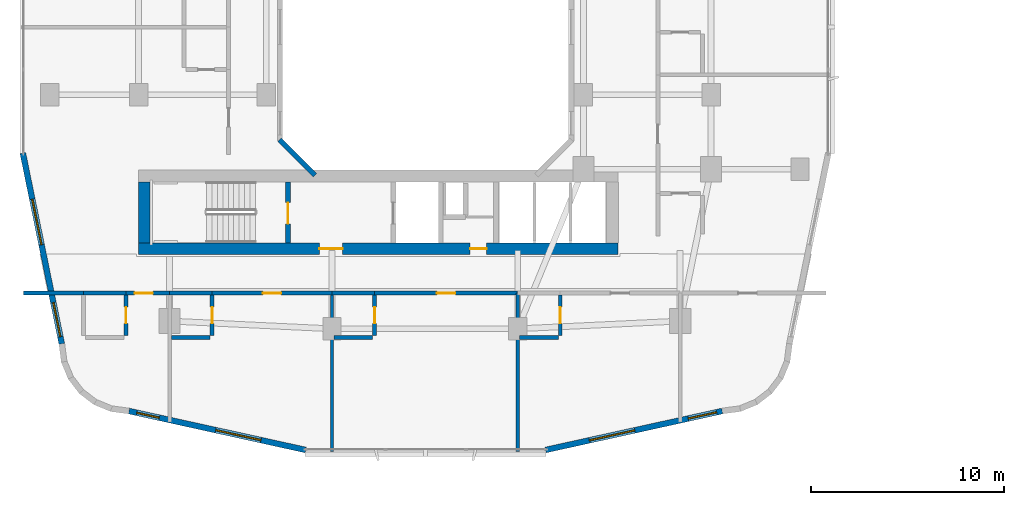
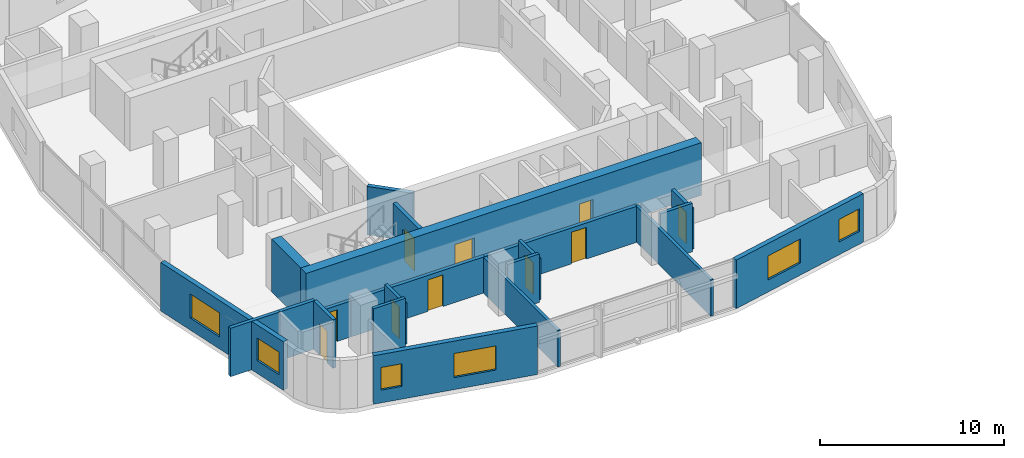
# One storey, part 13 of 27: 23 walls, 10 doors, 6 windows, 16 openings.
"""IFC4 building model written with IfcOpenShell, lengths in metres."""

from ifc_helpers import new_model, si_unit, derived_unit, direction, frame, frame_2d, origin, place, context, subcontext, project, spatial, rectangle, extrude, material, layer, layer_set, type_object, element, fill, save


model = new_model("IFC4")

# Units and contexts
model_context = context("Model", 3, precision=1e-05, world=origin(), true_north=direction((0.0, 1.0)))
body_context = subcontext(model_context, "Body", "Model", "MODEL_VIEW")
ifc_project = project(units=[si_unit("LENGTHUNIT", "METRE"), si_unit("AREAUNIT", "SQUARE_METRE"), si_unit("VOLUMEUNIT", "CUBIC_METRE"), si_unit("PLANEANGLEUNIT", "RADIAN"), si_unit("MASSUNIT", "GRAM", prefix="KILO"), derived_unit("THERMALTRANSMITTANCEUNIT", [(si_unit("POWERUNIT", "WATT"), 1), (si_unit("LENGTHUNIT", "METRE"), -2), (si_unit("THERMODYNAMICTEMPERATUREUNIT", "KELVIN"), -1)])], contexts=[model_context])

# Site, building, storey
site_placement = place(None, origin())
site = spatial("IfcSite", under=ifc_project, at=site_placement, CompositionType="ELEMENT")
building_placement = place(site_placement, origin())
building = spatial("IfcBuilding", under=site, at=building_placement, Name="Kivonza Crest Hotel", CompositionType="ELEMENT")
storey_placement = place(building_placement, frame((0.0, 0.0, 34.5)))
storey = spatial("IfcBuildingStorey", under=building, at=storey_placement, Name="L08", CompositionType="ELEMENT", Elevation=34.5)

# Walls
ifc_material_1 = material(Name="High-density acoustic masonry inter-tenancy wall", Category="masonry")
ifc_layer_1 = layer(ifc_material_1, 0.179931640625)
ifc_layer_set_1 = layer_set([ifc_layer_1], Name="High-density acoustic masonry inter-tenancy wall")
wall_type_1 = type_object("IfcWallType", Name="WL-ACOU-180", PredefinedType="SOLIDWALL", material=ifc_layer_set_1)
for number, where, z_axis, x_axis, name in (
    (1, (16.199951171875, 3.06005859375, 0.0), (0.0, 0.0, 1.0), (0.0, 1.0, 0.0), "L08 interior partition WA-L08-T1S-DIV2"),
    (2, (25.800048828125, 3.06005859375, 0.0), (0.0, 0.0, 1.0), (0.0, 1.0, 0.0), "L08 interior partition WA-L08-T1S-DIV3"),
):
    element("IfcWall", number, at=place(storey_placement, frame(where, z_axis=z_axis, x_axis=x_axis)), inside=storey, type_object=wall_type_1, Name=name, PredefinedType="SOLIDWALL", context=body_context, shape_type="SweptSolid", body=[
        extrude(rectangle(XDim=8.18994140625, YDim=0.179931640625, at=frame_2d((4.094970703125, 0.0))), origin(), (0.0, 0.0, 1.0), 2.39501953125),
    ])
ifc_material_2 = material(Name="Autoclaved aerated concrete blockwork", Category="masonry")
ifc_layer_2 = layer(ifc_material_2, 0.219970703125)
ifc_layer_set_2 = layer_set([ifc_layer_2], Name="Autoclaved aerated concrete blockwork")
wall_type_2 = type_object("IfcWallType", Name="WL-ACOU-220", PredefinedType="SOLIDWALL", material=ifc_layer_set_2)
wall_1_placement = place(storey_placement, frame((0.239990234375, 11.25, 0.0), z_axis=(0.0, 0.0, 1.0), x_axis=(1.0, 0.0, 0.0)))
element("IfcWall", 3, at=wall_1_placement, inside=storey, type_object=wall_type_2, Name="L08 interior partition WA-L08-S04-XCORR", PredefinedType="SOLIDWALL", context=body_context, shape_type="SweptSolid", body=[
    extrude(rectangle(XDim=3.110107421875, YDim=0.219970703125, at=frame_2d((1.55517578125, 0.0))), origin(), (0.0, 0.0, 1.0), 3.219970703125),
])
wall_2_placement = place(storey_placement, frame((3.35009765625, 11.25, 0.0), z_axis=(0.0, 0.0, 1.0), x_axis=(1.0, 0.0, 0.0)))
element("IfcWall", 4, at=wall_2_placement, inside=storey, type_object=wall_type_2, Name="L08 interior partition WA-L08-S04-BCORR", PredefinedType="SOLIDWALL", context=body_context, shape_type="SweptSolid", body=[
    extrude(rectangle(XDim=2.199951171875, YDim=0.219970703125, at=frame_2d((1.10009765625, 0.0))), origin(), (0.0, 0.0, 1.0), 3.219970703125),
])

# Wall, opening, door
wall_3_placement = place(storey_placement, frame((5.550048828125, 11.25, 0.0), z_axis=(0.0, 0.0, 1.0), x_axis=(1.0, 0.0, 0.0)))
wall_3 = element("IfcWall", 5, at=wall_3_placement, inside=storey, type_object=wall_type_2, Name="L08 interior partition WA-L08-S04-MCORR", PredefinedType="SOLIDWALL", context=body_context, shape_type="SweptSolid", body=[
    extrude(rectangle(XDim=2.25, YDim=0.219970703125, at=frame_2d((1.125, 0.0))), origin(), (0.0, 0.0, 1.0), 2.39501953125),
])
opening_1_placement = place(wall_3_placement, frame((0.43994140625, 0.0, 0.0)))
opening_1 = element("IfcOpeningElement", 6, at=opening_1_placement, cuts=wall_3, Name="Opening DU-60", PredefinedType="OPENING", context=body_context, shape_type="SweptSolid", body=[
    extrude(rectangle(XDim=0.949951171875, YDim=2.10009765625, at=frame_2d((0.47509765625, 1.050048828125))), frame((0.0, 0.1201171875, 0.0), z_axis=(0.0, -1.0, 0.0), x_axis=(1.0, 0.0, 0.0)), (0.0, 0.0, 1.0), 0.239990234375),
])
ifc_material_3 = material(Name="Hardwood timber oak", Category="wood")
door_type_1 = type_object("IfcDoorType", Name="DR-UNIT-950", OperationType="NOTDEFINED", PredefinedType="DOOR", material=ifc_material_3)
door_1_placement = place(opening_1_placement, frame((0.949951171875, 0.0, 0.0), z_axis=(0.0, 0.0, 1.0), x_axis=(-1.0, 0.0, 0.0)))
door_1 = element("IfcDoor", 7, at=door_1_placement, inside=storey, type_object=door_type_1, Name="L08 S04 guest unit entrance fire door", OperationType="SINGLE_SWING_RIGHT", OverallHeight=2.10009765625, OverallWidth=0.949951171875, PredefinedType="DOOR", context=body_context, shape_type="SweptSolid", body=[
    extrude(rectangle(XDim=0.949951171875, YDim=2.10009765625, at=frame_2d((0.47509765625, 1.050048828125))), frame((0.0, 0.02490234375, 0.0), z_axis=(0.0, -1.0, 0.0), x_axis=(1.0, 0.0, 0.0)), (0.0, 0.0, 1.0), 0.050048828125),
])
fill(opening_1, door_1)

# Wall
wall_4_placement = place(storey_placement, frame((7.800048828125, 11.25, 0.0), z_axis=(0.0, 0.0, 1.0), x_axis=(1.0, 0.0, 0.0)))
element("IfcWall", 8, at=wall_4_placement, inside=storey, type_object=wall_type_2, Name="L08 interior partition WA-L08-S05-BCORR", PredefinedType="SOLIDWALL", context=body_context, shape_type="SweptSolid", body=[
    extrude(rectangle(XDim=2.199951171875, YDim=0.219970703125, at=frame_2d((1.10009765625, 0.0))), origin(), (0.0, 0.0, 1.0), 2.39501953125),
])

# Wall, opening, door
wall_5_placement = place(storey_placement, frame((10.0, 11.25, 0.0), z_axis=(0.0, 0.0, 1.0), x_axis=(1.0, 0.0, 0.0)))
wall_5 = element("IfcWall", 9, at=wall_5_placement, inside=storey, type_object=wall_type_2, Name="L08 interior partition WA-L08-S05-MCORR", PredefinedType="SOLIDWALL", context=body_context, shape_type="SweptSolid", body=[
    extrude(rectangle(XDim=6.199951171875, YDim=0.219970703125, at=frame_2d((3.10009765625, 0.0))), origin(), (0.0, 0.0, 1.0), 2.39501953125),
])
opening_2_placement = place(wall_5_placement, frame((2.625, 0.0, 0.0)))
opening_2 = element("IfcOpeningElement", 10, at=opening_2_placement, cuts=wall_5, Name="Opening DU-60", PredefinedType="OPENING", context=body_context, shape_type="SweptSolid", body=[
    extrude(rectangle(XDim=0.949951171875, YDim=2.10009765625, at=frame_2d((0.47509765625, 1.050048828125))), frame((0.0, 0.1201171875, 0.0), z_axis=(0.0, -1.0, 0.0), x_axis=(1.0, 0.0, 0.0)), (0.0, 0.0, 1.0), 0.239990234375),
])
door_2_placement = place(opening_2_placement, frame((0.949951171875, 0.0, 0.0), z_axis=(0.0, 0.0, 1.0), x_axis=(-1.0, 0.0, 0.0)))
door_2 = element("IfcDoor", 11, at=door_2_placement, inside=storey, type_object=door_type_1, Name="L08 S05 guest unit entrance fire door", OperationType="SINGLE_SWING_LEFT", OverallHeight=2.10009765625, OverallWidth=0.949951171875, PredefinedType="DOOR", context=body_context, shape_type="SweptSolid", body=[
    extrude(rectangle(XDim=0.949951171875, YDim=2.10009765625, at=frame_2d((0.47509765625, 1.050048828125))), frame((0.0, 0.02490234375, 0.0), z_axis=(0.0, -1.0, 0.0), x_axis=(1.0, 0.0, 0.0)), (0.0, 0.0, 1.0), 0.050048828125),
])
fill(opening_2, door_2)

# Wall
wall_6_placement = place(storey_placement, frame((16.199951171875, 11.25, 0.0), z_axis=(0.0, 0.0, 1.0), x_axis=(1.0, 0.0, 0.0)))
element("IfcWall", 12, at=wall_6_placement, inside=storey, type_object=wall_type_2, Name="L08 interior partition WA-L08-S06-BCORR", PredefinedType="SOLIDWALL", context=body_context, shape_type="SweptSolid", body=[
    extrude(rectangle(XDim=2.199951171875, YDim=0.219970703125, at=frame_2d((1.10009765625, 0.0))), origin(), (0.0, 0.0, 1.0), 2.39501953125),
])

# Wall, opening, door
wall_7_placement = place(storey_placement, frame((18.39990234375, 11.25, 0.0), z_axis=(0.0, 0.0, 1.0), x_axis=(1.0, 0.0, 0.0)))
wall_7 = element("IfcWall", 13, at=wall_7_placement, inside=storey, type_object=wall_type_2, Name="L08 interior partition WA-L08-S06-MCORR", PredefinedType="SOLIDWALL", context=body_context, shape_type="SweptSolid", body=[
    extrude(rectangle(XDim=7.400146484375, YDim=0.219970703125, at=frame_2d((3.7001953125, 0.0))), origin(), (0.0, 0.0, 1.0), 2.39501953125),
])
opening_3_placement = place(wall_7_placement, frame((3.22509765625, 0.0, 0.0)))
opening_3 = element("IfcOpeningElement", 14, at=opening_3_placement, cuts=wall_7, Name="Opening DU-60", PredefinedType="OPENING", context=body_context, shape_type="SweptSolid", body=[
    extrude(rectangle(XDim=0.949951171875, YDim=2.10009765625, at=frame_2d((0.47509765625, 1.050048828125))), frame((0.0, 0.1201171875, 0.0), z_axis=(0.0, -1.0, 0.0), x_axis=(1.0, 0.0, 0.0)), (0.0, 0.0, 1.0), 0.239990234375),
])
door_3_placement = place(opening_3_placement, frame((0.949951171875, 0.0, 0.0), z_axis=(0.0, 0.0, 1.0), x_axis=(-1.0, 0.0, 0.0)))
door_3 = element("IfcDoor", 15, at=door_3_placement, inside=storey, type_object=door_type_1, Name="L08 S06 guest unit entrance fire door", OperationType="SINGLE_SWING_RIGHT", OverallHeight=2.10009765625, OverallWidth=0.949951171875, PredefinedType="DOOR", context=body_context, shape_type="SweptSolid", body=[
    extrude(rectangle(XDim=0.949951171875, YDim=2.10009765625, at=frame_2d((0.47509765625, 1.050048828125))), frame((0.0, 0.02490234375, 0.0), z_axis=(0.0, -1.0, 0.0), x_axis=(1.0, 0.0, 0.0)), (0.0, 0.0, 1.0), 0.050048828125),
])
fill(opening_3, door_3)

# Wall, openings, doors
ifc_material_4 = material(Name="Concrete C60/75", Category="concrete")
ifc_layer_3 = layer(ifc_material_4, 0.60009765625)
ifc_layer_set_3 = layer_set([ifc_layer_3], Name="Concrete C60/75")
wall_type_3 = type_object("IfcWallType", Name="WL-CORE-600", PredefinedType="SHEAR", material=ifc_layer_set_3)
wall_8_placement = place(storey_placement, frame((6.199951171875, 13.5400390625, 0.0), z_axis=(0.0, 0.0, 1.0), x_axis=(1.0, 0.0, 0.0)))
wall_8 = element("IfcWall", 16, at=wall_8_placement, inside=storey, type_object=wall_type_3, Name="Core wall T1-S South L08", PredefinedType="SHEAR", context=body_context, shape_type="SweptSolid", body=[
    extrude(rectangle(XDim=24.800048828125, YDim=0.60009765625, at=frame_2d((12.39990234375, 0.0))), origin(), (0.0, 0.0, 1.0), 3.5),
])
opening_4_placement = place(wall_8_placement, frame((9.35009765625, 0.0, 0.0)))
opening_4 = element("IfcOpeningElement", 17, at=opening_4_placement, cuts=wall_8, Name="Opening DF-60", PredefinedType="OPENING", context=body_context, shape_type="SweptSolid", body=[
    extrude(rectangle(XDim=1.199951171875, YDim=2.14990234375, at=frame_2d((0.60009765625, 1.074951171875))), frame((0.0, 0.31005859375, 0.0), z_axis=(0.0, -1.0, 0.0), x_axis=(1.0, 0.0, 0.0)), (0.0, 0.0, 1.0), 0.6201171875),
])
opening_5_placement = place(wall_8_placement, frame((17.139892578125, 0.0, 0.0)))
opening_5 = element("IfcOpeningElement", 18, at=opening_5_placement, cuts=wall_8, Name="Opening DF-60R", PredefinedType="OPENING", context=body_context, shape_type="SweptSolid", body=[
    extrude(rectangle(XDim=0.85009765625, YDim=2.10009765625, at=frame_2d((0.425048828125, 1.050048828125))), frame((0.0, 0.31005859375, 0.0), z_axis=(0.0, -1.0, 0.0), x_axis=(1.0, 0.0, 0.0)), (0.0, 0.0, 1.0), 0.6201171875),
])
door_type_2 = type_object("IfcDoorType", Name="DR-FD60-1200", OperationType="NOTDEFINED", PredefinedType="DOOR", material=ifc_material_3)
door_4_placement = place(opening_4_placement, frame((1.199951171875, 0.0, 0.0), z_axis=(0.0, 0.0, 1.0), x_axis=(-1.0, 0.0, 0.0)))
door_4 = element("IfcDoor", 19, at=door_4_placement, inside=storey, type_object=door_type_2, Name="L08 T1-S firefighting lobby fire door", OperationType="SINGLE_SWING_LEFT", OverallHeight=2.14990234375, OverallWidth=1.199951171875, PredefinedType="DOOR", context=body_context, shape_type="SweptSolid", body=[
    extrude(rectangle(XDim=1.199951171875, YDim=2.14990234375, at=frame_2d((0.60009765625, 1.074951171875))), frame((0.0, 0.02490234375, 0.0), z_axis=(0.0, -1.0, 0.0), x_axis=(1.0, 0.0, 0.0)), (0.0, 0.0, 1.0), 0.050048828125),
])
fill(opening_4, door_4)
door_type_3 = type_object("IfcDoorType", Name="DR-FD60-850", OperationType="NOTDEFINED", PredefinedType="DOOR", material=ifc_material_3)
door_5_placement = place(opening_5_placement, frame((0.85009765625, 0.0, 0.0), z_axis=(0.0, 0.0, 1.0), x_axis=(-1.0, 0.0, 0.0)))
door_5 = element("IfcDoor", 20, at=door_5_placement, inside=storey, type_object=door_type_3, Name="L08 T1-S core room door", OperationType="SINGLE_SWING_RIGHT", OverallHeight=2.10009765625, OverallWidth=0.85009765625, PredefinedType="DOOR", context=body_context, shape_type="SweptSolid", body=[
    extrude(rectangle(XDim=0.85009765625, YDim=2.10009765625, at=frame_2d((0.425048828125, 1.050048828125))), frame((0.0, 0.02490234375, 0.0), z_axis=(0.0, -1.0, 0.0), x_axis=(1.0, 0.0, 0.0)), (0.0, 0.0, 1.0), 0.050048828125),
])
fill(opening_5, door_5)

# Walls
wall_9_placement = place(storey_placement, frame((6.5, 13.840087890625, 0.0), z_axis=(0.0, 0.0, 1.0), x_axis=(0.0, 1.0, 0.0)))
element("IfcWall", 21, at=wall_9_placement, inside=storey, type_object=wall_type_3, Name="Core wall T1-S West L08", PredefinedType="SHEAR", context=body_context, shape_type="SweptSolid", body=[
    extrude(rectangle(XDim=3.159912109375, YDim=0.60009765625, at=frame_2d((1.580078125, 0.0))), origin(), (0.0, 0.0, 1.0), 3.5),
])
ifc_material_5 = material(Name="Precast concrete C40/50", Category="concrete")
ifc_layer_4 = layer(ifc_material_5, 0.260009765625)
ifc_layer_set_4 = layer_set([ifc_layer_4], Name="Precast concrete C40/50")
wall_type_4 = type_object("IfcWallType", Name="WL-EXT-260", PredefinedType="STANDARD", material=ifc_layer_set_4)
wall_10_placement = place(storey_placement, frame((13.48388671875, 19.172119140625, 0.0), z_axis=(0.0, 0.0, 1.0), x_axis=(0.707106781187, -0.707106781187, 0.0)))
element("IfcWall", 22, at=wall_10_placement, inside=storey, type_object=wall_type_4, Name="L08 T1 light-well exterior wall 8", PredefinedType="STANDARD", context=body_context, shape_type="SweptSolid", body=[
    extrude(rectangle(XDim=2.593994140625, YDim=0.260009765625, at=frame_2d((1.296875, 0.0))), origin(), (0.0, 0.0, 1.0), 3.219970703125),
])

# Wall, openings, windows
ifc_layer_5 = layer(ifc_material_5, 0.300048828125)
ifc_layer_set_5 = layer_set([ifc_layer_5], Name="Precast concrete C40/50")
wall_type_5 = type_object("IfcWallType", Name="WL-EXT-300", PredefinedType="STANDARD", material=ifc_layer_set_5)
wall_11_placement = place(storey_placement, frame((5.7041015625, 5.14794921875, 0.0), z_axis=(0.0, 0.0, 1.0), x_axis=(0.9765437942, -0.215318875183, 0.0)))
wall_11 = element("IfcWall", 23, at=wall_11_placement, inside=storey, type_object=wall_type_5, Name="L08 T1 exterior insulated wall 7", PredefinedType="STANDARD", context=body_context, shape_type="SweptSolid", body=[
    extrude(rectangle(XDim=9.353271484375, YDim=0.300048828125, at=frame_2d((4.6767578125, 0.0))), origin(), (0.0, 0.0, 1.0), 3.219970703125),
])
opening_6_placement = place(wall_11_placement, frame((0.407958984375, 0.0, 0.85009765625)))
opening_6 = element("IfcOpeningElement", 24, at=opening_6_placement, cuts=wall_11, Name="Opening WN-01", PredefinedType="OPENING", context=body_context, shape_type="SweptSolid", body=[
    extrude(rectangle(XDim=1.199951171875, YDim=1.5, at=frame_2d((0.60009765625, 0.75))), frame((0.0, 0.16015625, 0.0), z_axis=(0.0, -1.0, 0.0), x_axis=(1.0, 0.0, 0.0)), (0.0, 0.0, 1.0), 0.320068359375),
])
opening_7_placement = place(wall_11_placement, frame((4.590087890625, 0.0, 0.800048828125)))
opening_7 = element("IfcOpeningElement", 25, at=opening_7_placement, cuts=wall_11, Name="Opening WN-05", PredefinedType="OPENING", context=body_context, shape_type="SweptSolid", body=[
    extrude(rectangle(XDim=2.39990234375, YDim=1.60009765625, at=frame_2d((1.199951171875, 0.800048828125))), frame((0.0, 0.16015625, 0.0), z_axis=(0.0, -1.0, 0.0), x_axis=(1.0, 0.0, 0.0)), (0.0, 0.0, 1.0), 0.320068359375),
])
ifc_material_6 = material(Name="Thermally broken bronze aluminium and low-E double glazing", Category="aluminium")
window_type_1 = type_object("IfcWindowType", Name="WN-120x150", PartitioningType="SINGLE_PANEL", PredefinedType="WINDOW", material=ifc_material_6)
window_1_placement = place(opening_6_placement, origin())
window_1 = element("IfcWindow", 26, at=window_1_placement, inside=storey, type_object=window_type_1, Name="L08 T1 facade window 7 bay 1", OverallHeight=1.5, OverallWidth=1.199951171875, PartitioningType="SINGLE_PANEL", PredefinedType="WINDOW", context=body_context, shape_type="SweptSolid", body=[
    extrude(rectangle(XDim=1.199951171875, YDim=1.5, at=frame_2d((0.60009765625, 0.75))), frame((0.0, 0.030029296875, 0.0), z_axis=(0.0, -1.0, 0.0), x_axis=(1.0, 0.0, 0.0)), (0.0, 0.0, 1.0), 0.06005859375),
])
fill(opening_6, window_1)
window_type_2 = type_object("IfcWindowType", Name="WN-240x160", PartitioningType="TRIPLE_PANEL_VERTICAL", PredefinedType="WINDOW", material=ifc_material_6)
window_2_placement = place(opening_7_placement, origin())
window_2 = element("IfcWindow", 27, at=window_2_placement, inside=storey, type_object=window_type_2, Name="L08 T1 facade window 7 bay 2", OverallHeight=1.60009765625, OverallWidth=2.39990234375, PartitioningType="SINGLE_PANEL", PredefinedType="WINDOW", context=body_context, shape_type="SweptSolid", body=[
    extrude(rectangle(XDim=2.39990234375, YDim=1.60009765625, at=frame_2d((1.199951171875, 0.800048828125))), frame((0.0, 0.030029296875, 0.0), z_axis=(0.0, -1.0, 0.0), x_axis=(1.0, 0.0, 0.0)), (0.0, 0.0, 1.0), 0.06005859375),
])
fill(opening_7, window_2)

wall_12_placement = place(storey_placement, frame((27.241943359375, 3.134033203125, 0.0), z_axis=(0.0, 0.0, 1.0), x_axis=(0.97654500432, 0.215313386808, 0.0)))
wall_12 = element("IfcWall", 28, at=wall_12_placement, inside=storey, type_object=wall_type_5, Name="L08 T1 exterior insulated wall 9", PredefinedType="STANDARD", context=body_context, shape_type="SweptSolid", body=[
    extrude(rectangle(XDim=9.353515625, YDim=0.300048828125, at=frame_2d((4.6767578125, 0.0))), origin(), (0.0, 0.0, 1.0), 3.219970703125),
])
opening_8_placement = place(wall_12_placement, frame((2.322998046875, 0.0, 0.800048828125)))
opening_8 = element("IfcOpeningElement", 29, at=opening_8_placement, cuts=wall_12, Name="Opening WN-05", PredefinedType="OPENING", context=body_context, shape_type="SweptSolid", body=[
    extrude(rectangle(XDim=2.39990234375, YDim=1.60009765625, at=frame_2d((1.199951171875, 0.800048828125))), frame((0.0, 0.16015625, 0.0), z_axis=(0.0, -1.0, 0.0), x_axis=(1.0, 0.0, 0.0)), (0.0, 0.0, 1.0), 0.320068359375),
])
opening_9_placement = place(wall_12_placement, frame((7.554931640625, 0.0, 0.85009765625)))
opening_9 = element("IfcOpeningElement", 30, at=opening_9_placement, cuts=wall_12, Name="Opening WN-02", PredefinedType="OPENING", context=body_context, shape_type="SweptSolid", body=[
    extrude(rectangle(XDim=1.5, YDim=1.5, at=frame_2d((0.75, 0.75))), frame((0.0, 0.16015625, 0.0), z_axis=(0.0, -1.0, 0.0), x_axis=(1.0, 0.0, 0.0)), (0.0, 0.0, 1.0), 0.320068359375),
])
window_type_3 = type_object("IfcWindowType", Name="WN-150x150", PartitioningType="DOUBLE_PANEL_VERTICAL", PredefinedType="WINDOW", material=ifc_material_6)
window_3_placement = place(opening_9_placement, origin())
window_3 = element("IfcWindow", 31, at=window_3_placement, inside=storey, type_object=window_type_3, Name="L08 T1 facade window 9 bay 2", OverallHeight=1.5, OverallWidth=1.5, PartitioningType="SINGLE_PANEL", PredefinedType="WINDOW", context=body_context, shape_type="SweptSolid", body=[
    extrude(rectangle(XDim=1.5, YDim=1.5, at=frame_2d((0.75, 0.75))), frame((0.0, 0.030029296875, 0.0), z_axis=(0.0, -1.0, 0.0), x_axis=(1.0, 0.0, 0.0)), (0.0, 0.0, 1.0), 0.06005859375),
])
fill(opening_9, window_3)
window_4_placement = place(opening_8_placement, origin())
window_4 = element("IfcWindow", 32, at=window_4_placement, inside=storey, type_object=window_type_2, Name="L08 T1 facade window 9 bay 1", OverallHeight=1.60009765625, OverallWidth=2.39990234375, PartitioningType="SINGLE_PANEL", PredefinedType="WINDOW", context=body_context, shape_type="SweptSolid", body=[
    extrude(rectangle(XDim=2.39990234375, YDim=1.60009765625, at=frame_2d((1.199951171875, 0.800048828125))), frame((0.0, 0.030029296875, 0.0), z_axis=(0.0, -1.0, 0.0), x_axis=(1.0, 0.0, 0.0)), (0.0, 0.0, 1.0), 0.06005859375),
])
fill(opening_8, window_4)

wall_13_placement = place(storey_placement, frame((0.216064453125, 18.48388671875, 0.0), z_axis=(0.0, 0.0, 1.0), x_axis=(0.199990901713, -0.979797754249, 0.0)))
wall_13 = element("IfcWall", 33, at=wall_13_placement, inside=storey, type_object=wall_type_5, Name="L08 T1 exterior insulated wall 36", PredefinedType="STANDARD", context=body_context, shape_type="SweptSolid", body=[
    extrude(rectangle(XDim=10.065185546875, YDim=0.300048828125, at=frame_2d((5.03271484375, 0.0))), origin(), (0.0, 0.0, 1.0), 3.219970703125),
])
opening_10_placement = place(wall_13_placement, frame((2.428955078125, 0.0, 0.800048828125)))
opening_10 = element("IfcOpeningElement", 34, at=opening_10_placement, cuts=wall_13, Name="Opening WN-05", PredefinedType="OPENING", context=body_context, shape_type="SweptSolid", body=[
    extrude(rectangle(XDim=2.39990234375, YDim=1.60009765625, at=frame_2d((1.199951171875, 0.800048828125))), frame((0.0, 0.16015625, 0.0), z_axis=(0.0, -1.0, 0.0), x_axis=(1.0, 0.0, 0.0)), (0.0, 0.0, 1.0), 0.320068359375),
])
opening_11_placement = place(wall_13_placement, frame((7.886962890625, 0.0, 0.85009765625)))
opening_11 = element("IfcOpeningElement", 35, at=opening_11_placement, cuts=wall_13, Name="Opening WN-03", PredefinedType="OPENING", context=body_context, shape_type="SweptSolid", body=[
    extrude(rectangle(XDim=1.800048828125, YDim=1.5, at=frame_2d((0.89990234375, 0.75))), frame((0.0, 0.16015625, 0.0), z_axis=(0.0, -1.0, 0.0), x_axis=(1.0, 0.0, 0.0)), (0.0, 0.0, 1.0), 0.320068359375),
])
window_type_4 = type_object("IfcWindowType", Name="WN-180x150", PartitioningType="DOUBLE_PANEL_VERTICAL", PredefinedType="WINDOW", material=ifc_material_6)
window_5_placement = place(opening_11_placement, origin())
window_5 = element("IfcWindow", 36, at=window_5_placement, inside=storey, type_object=window_type_4, Name="L08 T1 facade window 36 bay 2", OverallHeight=1.5, OverallWidth=1.800048828125, PartitioningType="SINGLE_PANEL", PredefinedType="WINDOW", context=body_context, shape_type="SweptSolid", body=[
    extrude(rectangle(XDim=1.800048828125, YDim=1.5, at=frame_2d((0.89990234375, 0.75))), frame((0.0, 0.030029296875, 0.0), z_axis=(0.0, -1.0, 0.0), x_axis=(1.0, 0.0, 0.0)), (0.0, 0.0, 1.0), 0.06005859375),
])
fill(opening_11, window_5)
window_6_placement = place(opening_10_placement, origin())
window_6 = element("IfcWindow", 37, at=window_6_placement, inside=storey, type_object=window_type_2, Name="L08 T1 facade window 36 bay 1", OverallHeight=1.60009765625, OverallWidth=2.39990234375, PartitioningType="SINGLE_PANEL", PredefinedType="WINDOW", context=body_context, shape_type="SweptSolid", body=[
    extrude(rectangle(XDim=2.39990234375, YDim=1.60009765625, at=frame_2d((1.199951171875, 0.800048828125))), frame((0.0, 0.030029296875, 0.0), z_axis=(0.0, -1.0, 0.0), x_axis=(1.0, 0.0, 0.0)), (0.0, 0.0, 1.0), 0.06005859375),
])
fill(opening_10, window_6)

# Wall, opening, door
ifc_material_7 = material(Name="Moisture-resistant plumbing chase partition wall", Category="gypsum")
ifc_layer_6 = layer(ifc_material_7, 0.199951171875)
ifc_layer_set_6 = layer_set([ifc_layer_6], Name="Moisture-resistant plumbing chase partition wall")
wall_type_6 = type_object("IfcWallType", Name="WL-PLUMB-200", PredefinedType="PLUMBINGWALL", material=ifc_layer_set_6)
wall_14_placement = place(storey_placement, frame((5.550048828125, 9.050048828125, 0.0), z_axis=(0.0, 0.0, 1.0), x_axis=(0.0, 1.0, 0.0)))
wall_14 = element("IfcWall", 38, at=wall_14_placement, inside=storey, type_object=wall_type_6, Name="L08 interior partition WW-L08-S04-BV", PredefinedType="PLUMBINGWALL", context=body_context, shape_type="SweptSolid", body=[
    extrude(rectangle(XDim=2.099853515625, YDim=0.199951171875, at=frame_2d((1.0498046875, 0.0))), origin(), (0.0, 0.0, 1.0), 3.219970703125),
])
opening_12_placement = place(wall_14_placement, frame((0.625, 0.0, 0.0)))
opening_12 = element("IfcOpeningElement", 39, at=opening_12_placement, cuts=wall_14, Name="Opening DI-85", PredefinedType="OPENING", context=body_context, shape_type="SweptSolid", body=[
    extrude(rectangle(XDim=0.85009765625, YDim=2.10009765625, at=frame_2d((0.425048828125, 1.050048828125))), frame((0.0, 0.10986328125, 0.0), z_axis=(0.0, -1.0, 0.0), x_axis=(1.0, 0.0, 0.0)), (0.0, 0.0, 1.0), 0.219970703125),
])
door_type_4 = type_object("IfcDoorType", Name="DR-INT-850", OperationType="NOTDEFINED", PredefinedType="DOOR", material=ifc_material_3)
door_6_placement = place(opening_12_placement, frame((0.85009765625, 0.0, 0.0), z_axis=(0.0, 0.0, 1.0), x_axis=(-1.0, 0.0, 0.0)))
door_6 = element("IfcDoor", 40, at=door_6_placement, inside=storey, type_object=door_type_4, Name="L08 S04 en-suite bathroom door", OperationType="SINGLE_SWING_LEFT", OverallHeight=2.10009765625, OverallWidth=0.85009765625, PredefinedType="DOOR", context=body_context, shape_type="SweptSolid", body=[
    extrude(rectangle(XDim=0.85009765625, YDim=2.10009765625, at=frame_2d((0.425048828125, 1.050048828125))), frame((0.0, 0.02490234375, 0.0), z_axis=(0.0, -1.0, 0.0), x_axis=(1.0, 0.0, 0.0)), (0.0, 0.0, 1.0), 0.050048828125),
])
fill(opening_12, door_6)

wall_15_placement = place(storey_placement, frame((10.0, 9.050048828125, 0.0), z_axis=(0.0, 0.0, 1.0), x_axis=(0.0, 1.0, 0.0)))
wall_15 = element("IfcWall", 41, at=wall_15_placement, inside=storey, type_object=wall_type_6, Name="L08 interior partition WW-L08-S05-BV", PredefinedType="PLUMBINGWALL", context=body_context, shape_type="SweptSolid", body=[
    extrude(rectangle(XDim=2.099853515625, YDim=0.199951171875, at=frame_2d((1.0498046875, 0.0))), origin(), (0.0, 0.0, 1.0), 2.7451171875),
])
opening_13_placement = place(wall_15_placement, frame((0.625, 0.0, 0.0)))
opening_13 = element("IfcOpeningElement", 42, at=opening_13_placement, cuts=wall_15, Name="Opening DI-85", PredefinedType="OPENING", context=body_context, shape_type="SweptSolid", body=[
    extrude(rectangle(XDim=0.85009765625, YDim=2.10009765625, at=frame_2d((0.425048828125, 1.050048828125))), frame((0.0, 0.10986328125, 0.0), z_axis=(0.0, -1.0, 0.0), x_axis=(1.0, 0.0, 0.0)), (0.0, 0.0, 1.0), 0.219970703125),
])
door_7_placement = place(opening_13_placement, frame((0.85009765625, 0.0, 0.0), z_axis=(0.0, 0.0, 1.0), x_axis=(-1.0, 0.0, 0.0)))
door_7 = element("IfcDoor", 43, at=door_7_placement, inside=storey, type_object=door_type_4, Name="L08 S05 en-suite bathroom door", OperationType="SINGLE_SWING_RIGHT", OverallHeight=2.10009765625, OverallWidth=0.85009765625, PredefinedType="DOOR", context=body_context, shape_type="SweptSolid", body=[
    extrude(rectangle(XDim=0.85009765625, YDim=2.10009765625, at=frame_2d((0.425048828125, 1.050048828125))), frame((0.0, 0.02490234375, 0.0), z_axis=(0.0, -1.0, 0.0), x_axis=(1.0, 0.0, 0.0)), (0.0, 0.0, 1.0), 0.050048828125),
])
fill(opening_13, door_7)

# Wall
wall_16_placement = place(storey_placement, frame((7.89990234375, 8.949951171875, 0.0), z_axis=(0.0, 0.0, 1.0), x_axis=(1.0, 0.0, 0.0)))
element("IfcWall", 44, at=wall_16_placement, inside=storey, type_object=wall_type_6, Name="L08 interior partition WW-L08-S05-BH", PredefinedType="PLUMBINGWALL", context=body_context, shape_type="SweptSolid", body=[
    extrude(rectangle(XDim=2.0, YDim=0.199951171875, at=frame_2d((1.0, 0.0))), origin(), (0.0, 0.0, 1.0), 3.219970703125),
])

# Wall, opening, door
wall_17_placement = place(storey_placement, frame((18.39990234375, 9.050048828125, 0.0), z_axis=(0.0, 0.0, 1.0), x_axis=(0.0, 1.0, 0.0)))
wall_17 = element("IfcWall", 45, at=wall_17_placement, inside=storey, type_object=wall_type_6, Name="L08 interior partition WW-L08-S06-BV", PredefinedType="PLUMBINGWALL", context=body_context, shape_type="SweptSolid", body=[
    extrude(rectangle(XDim=2.099853515625, YDim=0.199951171875, at=frame_2d((1.0498046875, 0.0))), origin(), (0.0, 0.0, 1.0), 2.7451171875),
])
opening_14_placement = place(wall_17_placement, frame((0.625, 0.0, 0.0)))
opening_14 = element("IfcOpeningElement", 46, at=opening_14_placement, cuts=wall_17, Name="Opening DI-85", PredefinedType="OPENING", context=body_context, shape_type="SweptSolid", body=[
    extrude(rectangle(XDim=0.85009765625, YDim=2.10009765625, at=frame_2d((0.425048828125, 1.050048828125))), frame((0.0, 0.10986328125, 0.0), z_axis=(0.0, -1.0, 0.0), x_axis=(1.0, 0.0, 0.0)), (0.0, 0.0, 1.0), 0.219970703125),
])
door_8_placement = place(opening_14_placement, frame((0.85009765625, 0.0, 0.0), z_axis=(0.0, 0.0, 1.0), x_axis=(-1.0, 0.0, 0.0)))
door_8 = element("IfcDoor", 47, at=door_8_placement, inside=storey, type_object=door_type_4, Name="L08 S06 en-suite bathroom door", OperationType="SINGLE_SWING_LEFT", OverallHeight=2.10009765625, OverallWidth=0.85009765625, PredefinedType="DOOR", context=body_context, shape_type="SweptSolid", body=[
    extrude(rectangle(XDim=0.85009765625, YDim=2.10009765625, at=frame_2d((0.425048828125, 1.050048828125))), frame((0.0, 0.02490234375, 0.0), z_axis=(0.0, -1.0, 0.0), x_axis=(1.0, 0.0, 0.0)), (0.0, 0.0, 1.0), 0.050048828125),
])
fill(opening_14, door_8)

# Wall
wall_18_placement = place(storey_placement, frame((16.300048828125, 8.949951171875, 0.0), z_axis=(0.0, 0.0, 1.0), x_axis=(1.0, 0.0, 0.0)))
element("IfcWall", 48, at=wall_18_placement, inside=storey, type_object=wall_type_6, Name="L08 interior partition WW-L08-S06-BH", PredefinedType="PLUMBINGWALL", context=body_context, shape_type="SweptSolid", body=[
    extrude(rectangle(XDim=2.0, YDim=0.199951171875, at=frame_2d((1.0, 0.0))), origin(), (0.0, 0.0, 1.0), 3.219970703125),
])

# Wall, opening, door
wall_19_placement = place(storey_placement, frame((28.0, 9.050048828125, 0.0), z_axis=(0.0, 0.0, 1.0), x_axis=(0.0, 1.0, 0.0)))
wall_19 = element("IfcWall", 49, at=wall_19_placement, inside=storey, type_object=wall_type_6, Name="L08 interior partition WW-L08-S07-BV", PredefinedType="PLUMBINGWALL", context=body_context, shape_type="SweptSolid", body=[
    extrude(rectangle(XDim=2.099853515625, YDim=0.199951171875, at=frame_2d((1.0498046875, 0.0))), origin(), (0.0, 0.0, 1.0), 2.7451171875),
])
opening_15_placement = place(wall_19_placement, frame((0.625, 0.0, 0.0)))
opening_15 = element("IfcOpeningElement", 50, at=opening_15_placement, cuts=wall_19, Name="Opening DI-85", PredefinedType="OPENING", context=body_context, shape_type="SweptSolid", body=[
    extrude(rectangle(XDim=0.85009765625, YDim=2.10009765625, at=frame_2d((0.425048828125, 1.050048828125))), frame((0.0, 0.10986328125, 0.0), z_axis=(0.0, -1.0, 0.0), x_axis=(1.0, 0.0, 0.0)), (0.0, 0.0, 1.0), 0.219970703125),
])
door_9_placement = place(opening_15_placement, frame((0.85009765625, 0.0, 0.0), z_axis=(0.0, 0.0, 1.0), x_axis=(-1.0, 0.0, 0.0)))
door_9 = element("IfcDoor", 51, at=door_9_placement, inside=storey, type_object=door_type_4, Name="L08 S07 en-suite bathroom door", OperationType="SINGLE_SWING_RIGHT", OverallHeight=2.10009765625, OverallWidth=0.85009765625, PredefinedType="DOOR", context=body_context, shape_type="SweptSolid", body=[
    extrude(rectangle(XDim=0.85009765625, YDim=2.10009765625, at=frame_2d((0.425048828125, 1.050048828125))), frame((0.0, 0.02490234375, 0.0), z_axis=(0.0, -1.0, 0.0), x_axis=(1.0, 0.0, 0.0)), (0.0, 0.0, 1.0), 0.050048828125),
])
fill(opening_15, door_9)

# Wall
wall_20_placement = place(storey_placement, frame((25.89990234375, 8.949951171875, 0.0), z_axis=(0.0, 0.0, 1.0), x_axis=(1.0, 0.0, 0.0)))
element("IfcWall", 52, at=wall_20_placement, inside=storey, type_object=wall_type_6, Name="L08 interior partition WW-L08-S07-BH", PredefinedType="PLUMBINGWALL", context=body_context, shape_type="SweptSolid", body=[
    extrude(rectangle(XDim=2.0, YDim=0.199951171875, at=frame_2d((1.0, 0.0))), origin(), (0.0, 0.0, 1.0), 3.219970703125),
])

# Wall, opening, door
ifc_material_8 = material(Name="Concrete C50/60", Category="concrete")
ifc_layer_7 = layer(ifc_material_8, 0.25)
ifc_layer_set_7 = layer_set([ifc_layer_7], Name="Concrete C50/60")
wall_type_7 = type_object("IfcWallType", Name="WL-SHAFT-250", PredefinedType="STANDARD", material=ifc_layer_set_7)
wall_21_placement = place(storey_placement, frame((13.925048828125, 13.840087890625, 0.0), z_axis=(0.0, 0.0, 1.0), x_axis=(0.0, 1.0, 0.0)))
wall_21 = element("IfcWall", 53, at=wall_21_placement, inside=storey, type_object=wall_type_7, Name="Core shaft wall T1-S STAIR L08", PredefinedType="STANDARD", context=body_context, shape_type="SweptSolid", body=[
    extrude(rectangle(XDim=3.159912109375, YDim=0.25, at=frame_2d((1.580078125, 0.0))), origin(), (0.0, 0.0, 1.0), 3.219970703125),
])
opening_16_placement = place(wall_21_placement, frame((0.97998046875, 0.0, 0.0)))
opening_16 = element("IfcOpeningElement", 54, at=opening_16_placement, cuts=wall_21, Name="Opening DF-120", PredefinedType="OPENING", context=body_context, shape_type="SweptSolid", body=[
    extrude(rectangle(XDim=1.10009765625, YDim=2.14990234375, at=frame_2d((0.550048828125, 1.074951171875))), frame((0.0, 0.135009765625, 0.0), z_axis=(0.0, -1.0, 0.0), x_axis=(1.0, 0.0, 0.0)), (0.0, 0.0, 1.0), 0.27001953125),
])
ifc_material_9 = material(Name="Galvanised steel", Category="steel")
door_type_5 = type_object("IfcDoorType", Name="DR-FD120-1100", OperationType="NOTDEFINED", PredefinedType="DOOR", material=ifc_material_9)
door_10_placement = place(opening_16_placement, frame((1.10009765625, 0.0, 0.0), z_axis=(0.0, 0.0, 1.0), x_axis=(-1.0, 0.0, 0.0)))
door_10 = element("IfcDoor", 55, at=door_10_placement, inside=storey, type_object=door_type_5, Name="L08 T1-S stair fire door", OperationType="SINGLE_SWING_RIGHT", OverallHeight=2.14990234375, OverallWidth=1.10009765625, PredefinedType="DOOR", context=body_context, shape_type="SweptSolid", body=[
    extrude(rectangle(XDim=1.10009765625, YDim=2.14990234375, at=frame_2d((0.550048828125, 1.074951171875))), frame((0.0, 0.02490234375, 0.0), z_axis=(0.0, -1.0, 0.0), x_axis=(1.0, 0.0, 0.0)), (0.0, 0.0, 1.0), 0.050048828125),
])
fill(opening_16, door_10)

save(model, "model.ifc")
